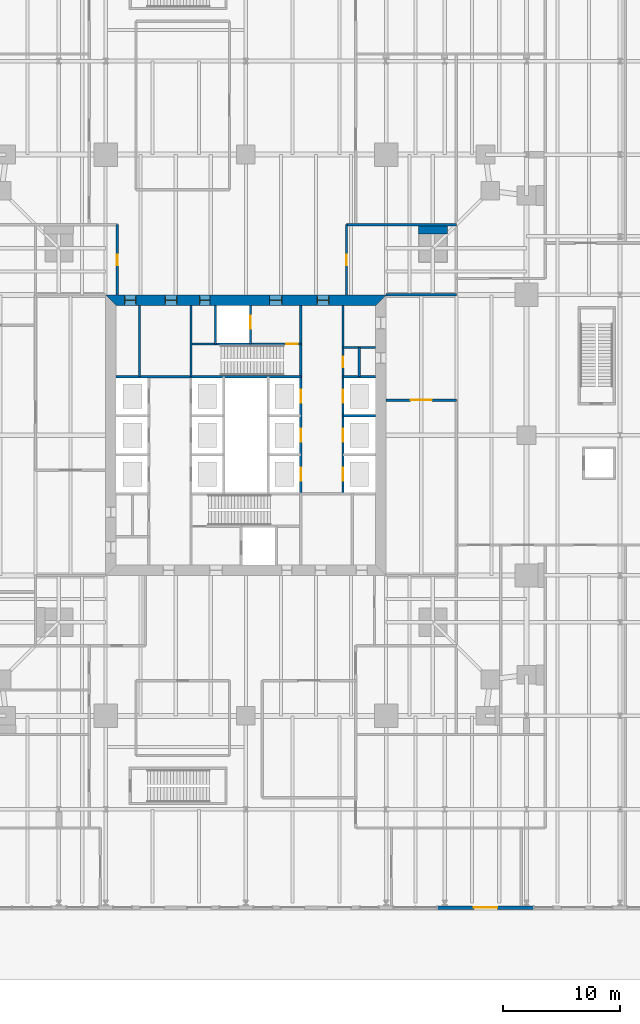
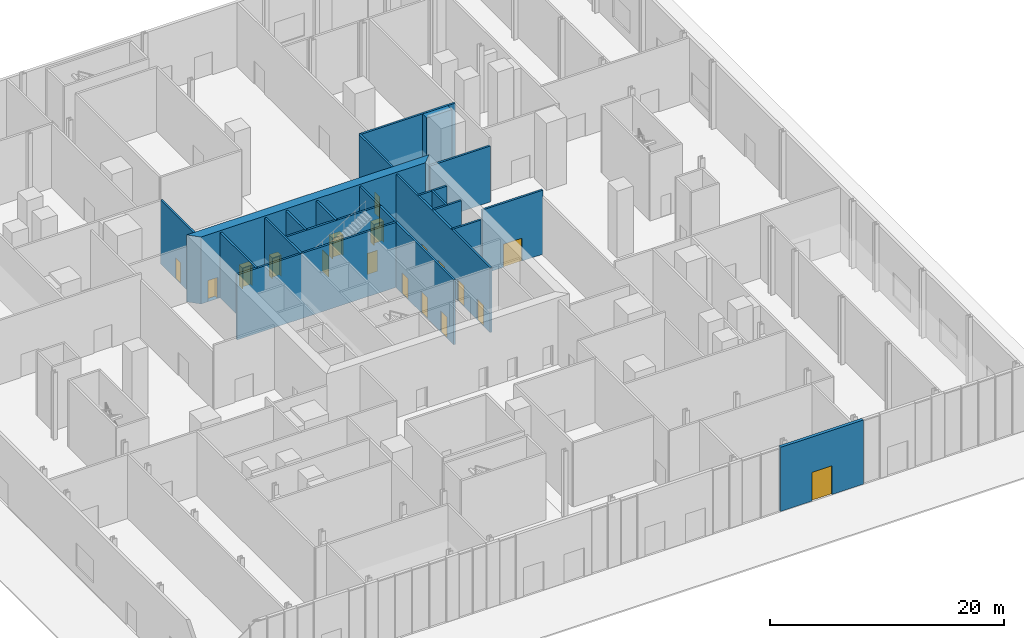
# One storey, part 15 of 20: 20 walls, 18 doors, 18 openings.
"""IFC4 building model written with IfcOpenShell, lengths in metres."""

from ifc_helpers import new_model, si_unit, direction, frame, frame_2d, origin, place, context, subcontext, project, spatial, polyline, rectangle, outline, extrude, material, layer, layer_set, type_object, element, fill, save


model = new_model("IFC4")

# Units and contexts
model_context = context("Model", 3, precision=1e-05, world=origin(), true_north=direction((0.0, 1.0)))
body_context = subcontext(model_context, "Body", "Model", "MODEL_VIEW")
ifc_project = project(units=[si_unit("LENGTHUNIT", "METRE"), si_unit("AREAUNIT", "SQUARE_METRE"), si_unit("VOLUMEUNIT", "CUBIC_METRE"), si_unit("PLANEANGLEUNIT", "RADIAN"), si_unit("MASSUNIT", "GRAM", prefix="KILO")], contexts=[model_context])

# Site, building, storey
site_placement = place(None, origin())
site = spatial("IfcSite", under=ifc_project, at=site_placement, CompositionType="ELEMENT")
building_placement = place(site_placement, origin())
building = spatial("IfcBuilding", under=site, at=building_placement, Name="Fenwick Lantern Interchange", CompositionType="ELEMENT")
storey_placement = place(building_placement, origin())
storey = spatial("IfcBuildingStorey", under=building, at=storey_placement, Name="L00", CompositionType="ELEMENT", Elevation=0.0)

# Wall
ifc_material_1 = material(Name="Fire-rated gypsum board encasement on steel studs, 2 hour", Category="steel")
ifc_layer_1 = layer(ifc_material_1, 2.5)
ifc_layer_set_1 = layer_set([ifc_layer_1], Name="COLUMN PIER 2500")
wall_type_1 = type_object("IfcWallType", Name="COLUMN PIER 2500", PredefinedType="PARTITIONING", material=ifc_layer_set_1)
wall_1_placement = place(storey_placement, frame((41.0, 42.89990234375, 0.0), z_axis=(0.0, 0.0, 1.0), x_axis=(0.0, -1.0, 0.0)))
element("IfcWall", 1, at=wall_1_placement, inside=storey, type_object=wall_type_1, Name="L00/W/PIER/M3", PredefinedType="PARTITIONING", context=body_context, shape_type="SweptSolid", body=[
    extrude(rectangle(XDim=0.699951171875, YDim=2.5, at=frame_2d((0.35009765625, 0.0))), origin(), (0.0, 0.0, 1.0), 6.699951171875),
])

# Wall, openings, doors
ifc_material_2 = material(Name="Concrete masonry ASTM C90 Grade N", Category="masonry")
ifc_layer_2 = layer(ifc_material_2, 0.199951171875)
ifc_layer_set_2 = layer_set([ifc_layer_2], Name="Concrete masonry ASTM C90 Grade N")
wall_type_2 = type_object("IfcWallType", Name="CORE PARTITION 200", PredefinedType="PARTITIONING", material=ifc_layer_set_2)
wall_2_placement = place(storey_placement, frame((33.300048828125, 36.10009765625, 0.0), z_axis=(0.0, 0.0, 1.0), x_axis=(0.0, -1.0, 0.0)))
wall_2 = element("IfcWall", 2, at=wall_2_placement, inside=storey, type_object=wall_type_2, Name="L00/W/COREN/a", PredefinedType="PARTITIONING", context=body_context, shape_type="SweptSolid", body=[
    extrude(rectangle(XDim=16.10009765625, YDim=0.199951171875, at=frame_2d((8.050048828125, 0.0))), origin(), (0.0, 0.0, 1.0), 6.800048828125),
])
opening_1_placement = place(wall_2_placement, frame((4.39990234375, 0.0, 0.0)))
opening_1 = element("IfcOpeningElement", 3, at=opening_1_placement, cuts=wall_2, Name="Opening L00-D033", PredefinedType="OPENING", context=body_context, shape_type="SweptSolid", body=[
    extrude(rectangle(XDim=0.89990234375, YDim=2.199951171875, at=frame_2d((0.449951171875, 1.10009765625))), frame((0.0, 0.10986328125, 0.0), z_axis=(0.0, -1.0, 0.0), x_axis=(1.0, 0.0, 0.0)), (0.0, 0.0, 1.0), 0.219970703125),
])
opening_2_placement = place(wall_2_placement, frame((7.216552734375, 0.0, 0.0)))
opening_2 = element("IfcOpeningElement", 4, at=opening_2_placement, cuts=wall_2, Name="Opening LD-E1-1", PredefinedType="OPENING", context=body_context, shape_type="SweptSolid", body=[
    extrude(rectangle(XDim=1.10009765625, YDim=2.199951171875, at=frame_2d((0.550048828125, 1.10009765625))), frame((0.0, 0.10986328125, 0.0), z_axis=(0.0, -1.0, 0.0), x_axis=(1.0, 0.0, 0.0)), (0.0, 0.0, 1.0), 0.219970703125),
])
opening_3_placement = place(wall_2_placement, frame((10.550048828125, 0.0, 0.0)))
opening_3 = element("IfcOpeningElement", 5, at=opening_3_placement, cuts=wall_2, Name="Opening LD-E1-2", PredefinedType="OPENING", context=body_context, shape_type="SweptSolid", body=[
    extrude(rectangle(XDim=1.10009765625, YDim=2.199951171875, at=frame_2d((0.550048828125, 1.10009765625))), frame((0.0, 0.10986328125, 0.0), z_axis=(0.0, -1.0, 0.0), x_axis=(1.0, 0.0, 0.0)), (0.0, 0.0, 1.0), 0.219970703125),
])
opening_4_placement = place(wall_2_placement, frame((13.88330078125, 0.0, 0.0)))
opening_4 = element("IfcOpeningElement", 6, at=opening_4_placement, cuts=wall_2, Name="Opening LD-E1-3", PredefinedType="OPENING", context=body_context, shape_type="SweptSolid", body=[
    extrude(rectangle(XDim=1.10009765625, YDim=2.199951171875, at=frame_2d((0.550048828125, 1.10009765625))), frame((0.0, 0.10986328125, 0.0), z_axis=(0.0, -1.0, 0.0), x_axis=(1.0, 0.0, 0.0)), (0.0, 0.0, 1.0), 0.219970703125),
])
ifc_material_3 = material(Name="Steel door and frame", Category="steel")
door_type_1 = type_object("IfcDoorType", Name="LIFT LANDING DOOR 1100 X 2200", OperationType="DOUBLE_DOOR_SLIDING", PredefinedType="DOOR", material=ifc_material_3)
door_1_placement = place(opening_2_placement, origin())
door_1 = element("IfcDoor", 7, at=door_1_placement, inside=storey, type_object=door_type_1, Name="Lift landing door E1-1", OperationType="DOUBLE_DOOR_SLIDING", OverallHeight=2.199951171875, OverallWidth=1.10009765625, PredefinedType="DOOR", context=body_context, shape_type="SweptSolid", body=[
    extrude(rectangle(XDim=1.10009765625, YDim=2.199951171875, at=frame_2d((0.550048828125, 1.10009765625))), frame((0.0, 0.02490234375, 0.0), z_axis=(0.0, -1.0, 0.0), x_axis=(1.0, 0.0, 0.0)), (0.0, 0.0, 1.0), 0.050048828125),
])
fill(opening_2, door_1)
door_2_placement = place(opening_3_placement, origin())
door_2 = element("IfcDoor", 8, at=door_2_placement, inside=storey, type_object=door_type_1, Name="Lift landing door E1-2", OperationType="DOUBLE_DOOR_SLIDING", OverallHeight=2.199951171875, OverallWidth=1.10009765625, PredefinedType="DOOR", context=body_context, shape_type="SweptSolid", body=[
    extrude(rectangle(XDim=1.10009765625, YDim=2.199951171875, at=frame_2d((0.550048828125, 1.10009765625))), frame((0.0, 0.02490234375, 0.0), z_axis=(0.0, -1.0, 0.0), x_axis=(1.0, 0.0, 0.0)), (0.0, 0.0, 1.0), 0.050048828125),
])
fill(opening_3, door_2)
door_3_placement = place(opening_4_placement, origin())
door_3 = element("IfcDoor", 9, at=door_3_placement, inside=storey, type_object=door_type_1, Name="Lift landing door E1-3", OperationType="DOUBLE_DOOR_SLIDING", OverallHeight=2.199951171875, OverallWidth=1.10009765625, PredefinedType="DOOR", context=body_context, shape_type="SweptSolid", body=[
    extrude(rectangle(XDim=1.10009765625, YDim=2.199951171875, at=frame_2d((0.550048828125, 1.10009765625))), frame((0.0, 0.02490234375, 0.0), z_axis=(0.0, -1.0, 0.0), x_axis=(1.0, 0.0, 0.0)), (0.0, 0.0, 1.0), 0.050048828125),
])
fill(opening_4, door_3)
door_type_2 = type_object("IfcDoorType", Name="SERVICE DOOR 900 X 2200", OperationType="SINGLE_SWING_LEFT", PredefinedType="DOOR", material=ifc_material_3)
door_4_placement = place(opening_1_placement, origin())
door_4 = element("IfcDoor", 10, at=door_4_placement, inside=storey, type_object=door_type_2, Name="Service door", OperationType="SINGLE_SWING_LEFT", OverallHeight=2.199951171875, OverallWidth=0.89990234375, PredefinedType="DOOR", context=body_context, shape_type="SweptSolid", body=[
    extrude(rectangle(XDim=0.89990234375, YDim=2.199951171875, at=frame_2d((0.449951171875, 1.10009765625))), frame((0.0, 0.02490234375, 0.0), z_axis=(0.0, -1.0, 0.0), x_axis=(1.0, 0.0, 0.0)), (0.0, 0.0, 1.0), 0.050048828125),
])
fill(opening_1, door_4)

# Walls
for number, where, z_axis, x_axis, name in (
    (11, (36.10009765625, 30.0, 0.0), (0.0, 0.0, 1.0), (-1.0, 0.0, 0.0), "L00/W/COREN/c2"),
    (12, (36.10009765625, 26.666748046875, 0.0), (0.0, 0.0, 1.0), (-1.0, 0.0, 0.0), "L00/W/COREN/d1"),
):
    element("IfcWall", number, at=place(storey_placement, frame(where, z_axis=z_axis, x_axis=x_axis)), inside=storey, type_object=wall_type_2, Name=name, PredefinedType="PARTITIONING", context=body_context, shape_type="SweptSolid", body=[
        extrude(rectangle(XDim=2.800048828125, YDim=0.199951171875, at=frame_2d((1.39990234375, 0.0))), origin(), (0.0, 0.0, 1.0), 6.800048828125),
    ])

# Wall, opening, door
wall_3_placement = place(storey_placement, frame((25.39990234375, 36.10009765625, 0.0), z_axis=(0.0, 0.0, 1.0), x_axis=(0.0, -1.0, 0.0)))
wall_3 = element("IfcWall", 13, at=wall_3_placement, inside=storey, type_object=wall_type_2, Name="L00/W/COREN/h1", PredefinedType="PARTITIONING", context=body_context, shape_type="SweptSolid", body=[
    extrude(rectangle(XDim=3.300048828125, YDim=0.199951171875, at=frame_2d((1.64990234375, 0.0))), origin(), (0.0, 0.0, 1.0), 6.800048828125),
])
opening_5_placement = place(wall_3_placement, frame((0.89990234375, 0.0, 0.0)))
opening_5 = element("IfcOpeningElement", 14, at=opening_5_placement, cuts=wall_3, Name="Opening LD-FL2", PredefinedType="OPENING", context=body_context, shape_type="SweptSolid", body=[
    extrude(rectangle(XDim=1.10009765625, YDim=2.199951171875, at=frame_2d((0.550048828125, 1.10009765625))), frame((0.0, 0.10986328125, 0.0), z_axis=(0.0, -1.0, 0.0), x_axis=(1.0, 0.0, 0.0)), (0.0, 0.0, 1.0), 0.219970703125),
])
door_5_placement = place(opening_5_placement, origin())
door_5 = element("IfcDoor", 15, at=door_5_placement, inside=storey, type_object=door_type_1, Name="Lift landing door FL2", OperationType="DOUBLE_DOOR_SLIDING", OverallHeight=2.199951171875, OverallWidth=1.10009765625, PredefinedType="DOOR", context=body_context, shape_type="SweptSolid", body=[
    extrude(rectangle(XDim=1.10009765625, YDim=2.199951171875, at=frame_2d((0.550048828125, 1.10009765625))), frame((0.0, 0.02490234375, 0.0), z_axis=(0.0, -1.0, 0.0), x_axis=(1.0, 0.0, 0.0)), (0.0, 0.0, 1.0), 0.050048828125),
])
fill(opening_5, door_5)

# Walls
wall_4_placement = place(storey_placement, frame((22.39990234375, 36.10009765625, 0.0), z_axis=(0.0, 0.0, 1.0), x_axis=(0.0, -1.0, 0.0)))
element("IfcWall", 16, at=wall_4_placement, inside=storey, type_object=wall_type_2, Name="L00/W/COREN/h2", PredefinedType="PARTITIONING", context=body_context, shape_type="SweptSolid", body=[
    extrude(rectangle(XDim=3.300048828125, YDim=0.199951171875, at=frame_2d((1.64990234375, 0.0))), origin(), (0.0, 0.0, 1.0), 6.800048828125),
])
wall_5_placement = place(storey_placement, frame((15.89990234375, 36.10009765625, 0.0), z_axis=(0.0, 0.0, 1.0), x_axis=(0.0, -1.0, 0.0)))
element("IfcWall", 17, at=wall_5_placement, inside=storey, type_object=wall_type_2, Name="L00/W/COREN/i2", PredefinedType="PARTITIONING", context=body_context, shape_type="SweptSolid", body=[
    extrude(rectangle(XDim=6.10009765625, YDim=0.199951171875, at=frame_2d((3.050048828125, 0.0))), origin(), (0.0, 0.0, 1.0), 6.800048828125),
])
wall_6_placement = place(storey_placement, frame((36.10009765625, 32.5, 0.0), z_axis=(0.0, 0.0, 1.0), x_axis=(-1.0, 0.0, 0.0)))
element("IfcWall", 18, at=wall_6_placement, inside=storey, type_object=wall_type_2, Name="L00/W/COREN/p1", PredefinedType="PARTITIONING", context=body_context, shape_type="SweptSolid", body=[
    extrude(rectangle(XDim=2.800048828125, YDim=0.199951171875, at=frame_2d((1.39990234375, 0.0))), origin(), (0.0, 0.0, 1.0), 6.800048828125),
])
wall_7_placement = place(storey_placement, frame((34.699951171875, 32.5, 0.0), z_axis=(0.0, 0.0, 1.0), x_axis=(0.0, -1.0, 0.0)))
element("IfcWall", 19, at=wall_7_placement, inside=storey, type_object=wall_type_2, Name="L00/W/COREN/px", PredefinedType="PARTITIONING", context=body_context, shape_type="SweptSolid", body=[
    extrude(rectangle(XDim=2.5, YDim=0.199951171875, at=frame_2d((1.25, 0.0))), origin(), (0.0, 0.0, 1.0), 6.800048828125),
])

# Wall, openings, doors
ifc_material_4 = material(Name="Concrete f'c 70 MPa", Category="concrete")
ifc_layer_3 = layer(ifc_material_4, 0.89990234375)
ifc_layer_set_3 = layer_set([ifc_layer_3], Name="CORE WALL 900")
wall_type_3 = type_object("IfcWallType", Name="CORE WALL 900", PredefinedType="SHEAR", material=ifc_layer_set_3)
wall_8_placement = place(storey_placement, frame((37.0, 36.550048828125, 0.0), z_axis=(0.0, 0.0, 1.0), x_axis=(-1.0, 0.0, 0.0)))
wall_8 = element("IfcWall", 20, at=wall_8_placement, inside=storey, type_object=wall_type_3, Name="L00/CORE/N", PredefinedType="SHEAR", context=body_context, shape_type="SweptSolid", body=[
    extrude(outline(polyline([(0.0, -0.449951171875), (24.0, -0.449951171875), (23.10009765625, 0.449951171875), (0.89990234375, 0.449951171875), (0.0, -0.449951171875)])), origin(), (0.0, 0.0, 1.0), 7.0),
])
opening_6_placement = place(wall_8_placement, frame((4.89990234375, 0.0, 0.0)))
opening_6 = element("IfcOpeningElement", 21, at=opening_6_placement, cuts=wall_8, Name="Opening L00-D026", PredefinedType="OPENING", context=body_context, shape_type="SweptSolid", body=[
    extrude(rectangle(XDim=1.0, YDim=2.199951171875, at=frame_2d((0.5, 1.10009765625))), frame((0.0, 0.4599609375, 0.0), z_axis=(0.0, -1.0, 0.0), x_axis=(1.0, 0.0, 0.0)), (0.0, 0.0, 1.0), 0.919921875),
])
opening_7_placement = place(wall_8_placement, frame((8.89990234375, 0.0, 0.0)))
opening_7 = element("IfcOpeningElement", 22, at=opening_7_placement, cuts=wall_8, Name="Opening L00-D027", PredefinedType="OPENING", context=body_context, shape_type="SweptSolid", body=[
    extrude(rectangle(XDim=1.10009765625, YDim=2.199951171875, at=frame_2d((0.550048828125, 1.10009765625))), frame((0.0, 0.4599609375, 0.0), z_axis=(0.0, -1.0, 0.0), x_axis=(1.0, 0.0, 0.0)), (0.0, 0.0, 1.0), 0.919921875),
])
opening_8_placement = place(wall_8_placement, frame((15.050048828125, 0.0, 0.0)))
opening_8 = element("IfcOpeningElement", 23, at=opening_8_placement, cuts=wall_8, Name="Opening L00-D029", PredefinedType="OPENING", context=body_context, shape_type="SweptSolid", body=[
    extrude(rectangle(XDim=0.89990234375, YDim=2.199951171875, at=frame_2d((0.449951171875, 1.10009765625))), frame((0.0, 0.4599609375, 0.0), z_axis=(0.0, -1.0, 0.0), x_axis=(1.0, 0.0, 0.0)), (0.0, 0.0, 1.0), 0.919921875),
])
opening_9_placement = place(wall_8_placement, frame((17.89990234375, 0.0, 0.0)))
opening_9 = element("IfcOpeningElement", 24, at=opening_9_placement, cuts=wall_8, Name="Opening L00-D030", PredefinedType="OPENING", context=body_context, shape_type="SweptSolid", body=[
    extrude(rectangle(XDim=1.0, YDim=2.199951171875, at=frame_2d((0.5, 1.10009765625))), frame((0.0, 0.4599609375, 0.0), z_axis=(0.0, -1.0, 0.0), x_axis=(1.0, 0.0, 0.0)), (0.0, 0.0, 1.0), 0.919921875),
])
opening_10_placement = place(wall_8_placement, frame((21.39990234375, 0.0, 0.0)))
opening_10 = element("IfcOpeningElement", 25, at=opening_10_placement, cuts=wall_8, Name="Opening L00-D031", PredefinedType="OPENING", context=body_context, shape_type="SweptSolid", body=[
    extrude(rectangle(XDim=1.0, YDim=2.199951171875, at=frame_2d((0.5, 1.10009765625))), frame((0.0, 0.4599609375, 0.0), z_axis=(0.0, -1.0, 0.0), x_axis=(1.0, 0.0, 0.0)), (0.0, 0.0, 1.0), 0.919921875),
])
door_type_3 = type_object("IfcDoorType", Name="CORE LOBBY DOOR 1000 X 2200", OperationType="SINGLE_SWING_LEFT", PredefinedType="DOOR", material=ifc_material_3)
door_6_placement = place(opening_6_placement, frame((1.0, 0.0, 0.0), z_axis=(0.0, 0.0, 1.0), x_axis=(-1.0, 0.0, 0.0)))
door_6 = element("IfcDoor", 26, at=door_6_placement, inside=storey, type_object=door_type_3, Name="Core lobby door", OperationType="SINGLE_SWING_RIGHT", OverallHeight=2.199951171875, OverallWidth=1.0, PredefinedType="DOOR", context=body_context, shape_type="SweptSolid", body=[
    extrude(rectangle(XDim=1.0, YDim=2.199951171875, at=frame_2d((0.5, 1.10009765625))), frame((0.0, 0.02490234375, 0.0), z_axis=(0.0, -1.0, 0.0), x_axis=(1.0, 0.0, 0.0)), (0.0, 0.0, 1.0), 0.050048828125),
    extrude(outline(polyline([(0.0, 0.0), (0.0400390625, 0.0), (0.0400390625, 2.159912109375), (0.9599609375, 2.159912109375), (0.9599609375, 0.0), (1.0, 0.0), (1.0, 2.199951171875), (0.0, 2.199951171875), (0.0, 0.0)])), frame((0.0, 0.300048828125, 0.0), z_axis=(0.0, -1.0, 0.0), x_axis=(1.0, 0.0, 0.0)), (0.0, 0.0, 1.0), 0.60009765625),
])
fill(opening_6, door_6)
door_type_4 = type_object("IfcDoorType", Name="FIRE LOBBY DOOR 1100 X 2200", OperationType="SINGLE_SWING_LEFT", PredefinedType="DOOR", material=ifc_material_3)
door_7_placement = place(opening_7_placement, frame((1.10009765625, 0.0, 0.0), z_axis=(0.0, 0.0, 1.0), x_axis=(-1.0, 0.0, 0.0)))
door_7 = element("IfcDoor", 27, at=door_7_placement, inside=storey, type_object=door_type_4, Name="Fire lobby door", OperationType="SINGLE_SWING_RIGHT", OverallHeight=2.199951171875, OverallWidth=1.10009765625, PredefinedType="DOOR", context=body_context, shape_type="SweptSolid", body=[
    extrude(rectangle(XDim=1.10009765625, YDim=2.199951171875, at=frame_2d((0.550048828125, 1.10009765625))), frame((0.0, 0.02490234375, 0.0), z_axis=(0.0, -1.0, 0.0), x_axis=(1.0, 0.0, 0.0)), (0.0, 0.0, 1.0), 0.050048828125),
    extrude(outline(polyline([(0.0, 0.0), (0.0400390625, 0.0), (0.0400390625, 2.159912109375), (1.06005859375, 2.159912109375), (1.06005859375, 0.0), (1.10009765625, 0.0), (1.10009765625, 2.199951171875), (0.0, 2.199951171875), (0.0, 0.0)])), frame((0.0, 0.300048828125, 0.0), z_axis=(0.0, -1.0, 0.0), x_axis=(1.0, 0.0, 0.0)), (0.0, 0.0, 1.0), 0.60009765625),
])
fill(opening_7, door_7)
door_8_placement = place(opening_8_placement, origin())
door_8 = element("IfcDoor", 28, at=door_8_placement, inside=storey, type_object=door_type_2, Name="Service door", OperationType="SINGLE_SWING_LEFT", OverallHeight=2.199951171875, OverallWidth=0.89990234375, PredefinedType="DOOR", context=body_context, shape_type="SweptSolid", body=[
    extrude(rectangle(XDim=0.89990234375, YDim=2.199951171875, at=frame_2d((0.449951171875, 1.10009765625))), frame((0.0, 0.02490234375, 0.0), z_axis=(0.0, -1.0, 0.0), x_axis=(1.0, 0.0, 0.0)), (0.0, 0.0, 1.0), 0.050048828125),
    extrude(outline(polyline([(0.0, 0.0), (0.0400390625, 0.0), (0.0400390625, 2.159912109375), (0.85986328125, 2.159912109375), (0.85986328125, 0.0), (0.89990234375, 0.0), (0.89990234375, 2.199951171875), (0.0, 2.199951171875), (0.0, 0.0)])), frame((0.0, 0.300048828125, 0.0), z_axis=(0.0, -1.0, 0.0), x_axis=(1.0, 0.0, 0.0)), (0.0, 0.0, 1.0), 0.60009765625),
])
fill(opening_8, door_8)
ifc_material_5 = material(Name="Hardwood door and steel frame", Category="steel")
door_type_5 = type_object("IfcDoorType", Name="WC DOOR 1000 X 2200", OperationType="SINGLE_SWING_LEFT", PredefinedType="DOOR", material=ifc_material_5)
door_9_placement = place(opening_9_placement, origin())
door_9 = element("IfcDoor", 29, at=door_9_placement, inside=storey, type_object=door_type_5, Name="Wc door", OperationType="SINGLE_SWING_LEFT", OverallHeight=2.199951171875, OverallWidth=1.0, PredefinedType="DOOR", context=body_context, shape_type="SweptSolid", body=[
    extrude(rectangle(XDim=1.0, YDim=2.199951171875, at=frame_2d((0.5, 1.10009765625))), frame((0.0, 0.02490234375, 0.0), z_axis=(0.0, -1.0, 0.0), x_axis=(1.0, 0.0, 0.0)), (0.0, 0.0, 1.0), 0.050048828125),
    extrude(outline(polyline([(0.0, 0.0), (0.0400390625, 0.0), (0.0400390625, 2.159912109375), (0.9599609375, 2.159912109375), (0.9599609375, 0.0), (1.0, 0.0), (1.0, 2.199951171875), (0.0, 2.199951171875), (0.0, 0.0)])), frame((0.0, 0.300048828125, 0.0), z_axis=(0.0, -1.0, 0.0), x_axis=(1.0, 0.0, 0.0)), (0.0, 0.0, 1.0), 0.60009765625),
])
fill(opening_9, door_9)
door_10_placement = place(opening_10_placement, origin())
door_10 = element("IfcDoor", 30, at=door_10_placement, inside=storey, type_object=door_type_5, Name="Wc door", OperationType="SINGLE_SWING_LEFT", OverallHeight=2.199951171875, OverallWidth=1.0, PredefinedType="DOOR", context=body_context, shape_type="SweptSolid", body=[
    extrude(rectangle(XDim=1.0, YDim=2.199951171875, at=frame_2d((0.5, 1.10009765625))), frame((0.0, 0.02490234375, 0.0), z_axis=(0.0, -1.0, 0.0), x_axis=(1.0, 0.0, 0.0)), (0.0, 0.0, 1.0), 0.050048828125),
    extrude(outline(polyline([(0.0, 0.0), (0.0400390625, 0.0), (0.0400390625, 2.159912109375), (0.9599609375, 2.159912109375), (0.9599609375, 0.0), (1.0, 0.0), (1.0, 2.199951171875), (0.0, 2.199951171875), (0.0, 0.0)])), frame((0.0, 0.300048828125, 0.0), z_axis=(0.0, -1.0, 0.0), x_axis=(1.0, 0.0, 0.0)), (0.0, 0.0, 1.0), 0.60009765625),
])
fill(opening_10, door_10)

# Wall, opening, door
ifc_material_6 = material(Name="Limestone ASTM C568 Classification II", Category="masonry")
ifc_layer_4 = layer(ifc_material_6, 0.074951171875)
ifc_material_7 = material(Name="Mineral wool insulation")
ifc_layer_5 = layer(ifc_material_7, 0.125)
ifc_material_8 = material(Name="Cold-formed galvanised steel studs", Category="steel")
ifc_layer_6 = layer(ifc_material_8, 0.10009765625)
ifc_layer_set_4 = layer_set([ifc_layer_4, ifc_layer_5, ifc_layer_6], Name="Limestone ASTM C568 Classification II")
wall_type_4 = type_object("IfcWallType", Name="LIMESTONE RAINSCREEN WALL 300", PredefinedType="SOLIDWALL", material=ifc_layer_set_4)
wall_9_placement = place(storey_placement, frame((41.39990234375, -15.39990234375, 0.0), z_axis=(0.0, 0.0, 1.0), x_axis=(1.0, 0.0, 0.0)))
wall_9 = element("IfcWall", 31, at=wall_9_placement, inside=storey, type_object=wall_type_4, Name="L00/EW/S11", PredefinedType="SOLIDWALL", context=body_context, shape_type="SweptSolid", body=[
    extrude(rectangle(XDim=8.2001953125, YDim=0.300048828125, at=frame_2d((4.10009765625, 0.0))), origin(), (0.0, 0.0, 1.0), 6.699951171875),
])
opening_11_placement = place(wall_9_placement, frame((3.10009765625, 0.0, 0.0)))
opening_11 = element("IfcOpeningElement", 32, at=opening_11_placement, cuts=wall_9, Name="Opening L00-D006", PredefinedType="OPENING", context=body_context, shape_type="SweptSolid", body=[
    extrude(rectangle(XDim=2.0, YDim=3.0, at=frame_2d((1.0, 1.5))), frame((0.0, 0.159912109375, 0.0), z_axis=(0.0, -1.0, 0.0), x_axis=(1.0, 0.0, 0.0)), (0.0, 0.0, 1.0), 0.320068359375),
])
ifc_material_9 = material(Name="Aluminium glazed door", Category="aluminium")
door_type_6 = type_object("IfcDoorType", Name="CONCOURSE ENTRANCE DOOR PAIR 2000 X 3000", OperationType="DOUBLE_DOOR_SINGLE_SWING", PredefinedType="DOOR", material=ifc_material_9)
door_11_placement = place(opening_11_placement, frame((2.0, 0.0, 0.0), z_axis=(0.0, 0.0, 1.0), x_axis=(-1.0, 0.0, 0.0)))
door_11 = element("IfcDoor", 33, at=door_11_placement, inside=storey, type_object=door_type_6, Name="Concourse entrance door pair", OperationType="DOUBLE_DOOR_SINGLE_SWING", OverallHeight=3.0, OverallWidth=2.0, PredefinedType="DOOR", context=body_context, shape_type="SweptSolid", body=[
    extrude(rectangle(XDim=2.0, YDim=3.0, at=frame_2d((1.0, 1.5))), frame((0.0, 0.02490234375, 0.0), z_axis=(0.0, -1.0, 0.0), x_axis=(1.0, 0.0, 0.0)), (0.0, 0.0, 1.0), 0.050048828125),
])
fill(opening_11, door_11)

ifc_material_10 = material(Name="Gypsum board on steel studs, 1 hour", Category="steel")
ifc_layer_7 = layer(ifc_material_10, 0.199951171875)
ifc_layer_set_5 = layer_set([ifc_layer_7], Name="ROOM WALL 200")
wall_type_5 = type_object("IfcWallType", Name="ROOM WALL 200", PredefinedType="PARTITIONING", material=ifc_layer_set_5)
wall_10_placement = place(storey_placement, frame((14.0, 37.0, 0.0), z_axis=(0.0, 0.0, 1.0), x_axis=(0.0, 1.0, 0.0)))
wall_10 = element("IfcWall", 34, at=wall_10_placement, inside=storey, type_object=wall_type_5, Name="L00/W/POD/X14-1", PredefinedType="PARTITIONING", context=body_context, shape_type="SweptSolid", body=[
    extrude(rectangle(XDim=6.0, YDim=0.199951171875, at=frame_2d((3.0, 0.0))), origin(), (0.0, 0.0, 1.0), 6.699951171875),
])
opening_12_placement = place(wall_10_placement, frame((2.550048828125, 0.0, 0.0)))
opening_12 = element("IfcOpeningElement", 35, at=opening_12_placement, cuts=wall_10, Name="Opening L00-D070", PredefinedType="OPENING", context=body_context, shape_type="SweptSolid", body=[
    extrude(rectangle(XDim=0.89990234375, YDim=2.199951171875, at=frame_2d((0.449951171875, 1.10009765625))), frame((0.0, 0.10986328125, 0.0), z_axis=(0.0, -1.0, 0.0), x_axis=(1.0, 0.0, 0.0)), (0.0, 0.0, 1.0), 0.219970703125),
])
door_type_7 = type_object("IfcDoorType", Name="OFFICE DOOR 900 X 2200", OperationType="SINGLE_SWING_LEFT", PredefinedType="DOOR", material=ifc_material_5)
door_12_placement = place(opening_12_placement, origin())
door_12 = element("IfcDoor", 36, at=door_12_placement, inside=storey, type_object=door_type_7, Name="Office door", OperationType="SINGLE_SWING_RIGHT", OverallHeight=2.199951171875, OverallWidth=0.89990234375, PredefinedType="DOOR", context=body_context, shape_type="SweptSolid", body=[
    extrude(rectangle(XDim=0.89990234375, YDim=2.199951171875, at=frame_2d((0.449951171875, 1.10009765625))), frame((0.0, 0.02490234375, 0.0), z_axis=(0.0, -1.0, 0.0), x_axis=(1.0, 0.0, 0.0)), (0.0, 0.0, 1.0), 0.050048828125),
])
fill(opening_12, door_12)

wall_11_placement = place(storey_placement, frame((33.60009765625, 37.0, 0.0), z_axis=(0.0, 0.0, 1.0), x_axis=(0.0, 1.0, 0.0)))
wall_11 = element("IfcWall", 37, at=wall_11_placement, inside=storey, type_object=wall_type_5, Name="L00/W/POD/X33.6-1", PredefinedType="PARTITIONING", context=body_context, shape_type="SweptSolid", body=[
    extrude(rectangle(XDim=6.0, YDim=0.199951171875, at=frame_2d((3.0, 0.0))), origin(), (0.0, 0.0, 1.0), 6.699951171875),
])
opening_13_placement = place(wall_11_placement, frame((2.550048828125, 0.0, 0.0)))
opening_13 = element("IfcOpeningElement", 38, at=opening_13_placement, cuts=wall_11, Name="Opening L00-D068", PredefinedType="OPENING", context=body_context, shape_type="SweptSolid", body=[
    extrude(rectangle(XDim=0.89990234375, YDim=2.199951171875, at=frame_2d((0.449951171875, 1.10009765625))), frame((0.0, 0.10986328125, 0.0), z_axis=(0.0, -1.0, 0.0), x_axis=(1.0, 0.0, 0.0)), (0.0, 0.0, 1.0), 0.219970703125),
])
door_13_placement = place(opening_13_placement, frame((0.89990234375, 0.0, 0.0), z_axis=(0.0, 0.0, 1.0), x_axis=(-1.0, 0.0, 0.0)))
door_13 = element("IfcDoor", 39, at=door_13_placement, inside=storey, type_object=door_type_7, Name="Office door", OperationType="SINGLE_SWING_LEFT", OverallHeight=2.199951171875, OverallWidth=0.89990234375, PredefinedType="DOOR", context=body_context, shape_type="SweptSolid", body=[
    extrude(rectangle(XDim=0.89990234375, YDim=2.199951171875, at=frame_2d((0.449951171875, 1.10009765625))), frame((0.0, 0.02490234375, 0.0), z_axis=(0.0, -1.0, 0.0), x_axis=(1.0, 0.0, 0.0)), (0.0, 0.0, 1.0), 0.050048828125),
])
fill(opening_13, door_13)

wall_12_placement = place(storey_placement, frame((37.0, 28.0, 0.0), z_axis=(0.0, 0.0, 1.0), x_axis=(1.0, 0.0, 0.0)))
wall_12 = element("IfcWall", 40, at=wall_12_placement, inside=storey, type_object=wall_type_5, Name="L00/W/POD/Y28-1", PredefinedType="PARTITIONING", context=body_context, shape_type="SweptSolid", body=[
    extrude(rectangle(XDim=6.0, YDim=0.199951171875, at=frame_2d((3.0, 0.0))), origin(), (0.0, 0.0, 1.0), 6.699951171875),
])
opening_14_placement = place(wall_12_placement, frame((2.099853515625, 0.0, 0.0)))
opening_14 = element("IfcOpeningElement", 41, at=opening_14_placement, cuts=wall_12, Name="Opening L00-D066", PredefinedType="OPENING", context=body_context, shape_type="SweptSolid", body=[
    extrude(rectangle(XDim=1.800048828125, YDim=2.39990234375, at=frame_2d((0.89990234375, 1.199951171875))), frame((0.0, 0.10986328125, 0.0), z_axis=(0.0, -1.0, 0.0), x_axis=(1.0, 0.0, 0.0)), (0.0, 0.0, 1.0), 0.219970703125),
])
door_type_8 = type_object("IfcDoorType", Name="ROOM DOOR PAIR 1800 X 2400", OperationType="DOUBLE_DOOR_SINGLE_SWING", PredefinedType="DOOR", material=ifc_material_3)
door_14_placement = place(opening_14_placement, origin())
door_14 = element("IfcDoor", 42, at=door_14_placement, inside=storey, type_object=door_type_8, Name="Room door pair", OperationType="DOUBLE_DOOR_SINGLE_SWING", OverallHeight=2.39990234375, OverallWidth=1.800048828125, PredefinedType="DOOR", context=body_context, shape_type="SweptSolid", body=[
    extrude(rectangle(XDim=1.800048828125, YDim=2.39990234375, at=frame_2d((0.89990234375, 1.199951171875))), frame((0.0, 0.02490234375, 0.0), z_axis=(0.0, -1.0, 0.0), x_axis=(1.0, 0.0, 0.0)), (0.0, 0.0, 1.0), 0.050048828125),
])
fill(opening_14, door_14)

# Walls
wall_13_placement = place(storey_placement, frame((37.0, 37.0, 0.0), z_axis=(0.0, 0.0, 1.0), x_axis=(1.0, 0.0, 0.0)))
element("IfcWall", 43, at=wall_13_placement, inside=storey, type_object=wall_type_5, Name="L00/W/POD/Y37-2", PredefinedType="PARTITIONING", context=body_context, shape_type="SweptSolid", body=[
    extrude(rectangle(XDim=6.0, YDim=0.199951171875, at=frame_2d((3.0, 0.0))), origin(), (0.0, 0.0, 1.0), 5.8525390625),
])
wall_14_placement = place(storey_placement, frame((33.60009765625, 43.0, 0.0), z_axis=(0.0, 0.0, 1.0), x_axis=(1.0, 0.0, 0.0)))
element("IfcWall", 44, at=wall_14_placement, inside=storey, type_object=wall_type_5, Name="L00/W/POD/Y43-2", PredefinedType="PARTITIONING", context=body_context, shape_type="SweptSolid", body=[
    extrude(rectangle(XDim=9.39990234375, YDim=0.199951171875, at=frame_2d((4.699951171875, 0.0))), origin(), (0.0, 0.0, 1.0), 6.699951171875),
])

# Wall, openings, doors
ifc_material_11 = material(Name="Concrete f'c 45 MPa", Category="concrete")
ifc_layer_8 = layer(ifc_material_11, 0.199951171875)
ifc_layer_set_6 = layer_set([ifc_layer_8], Name="STAIR CORE WALL 200")
wall_type_6 = type_object("IfcWallType", Name="STAIR CORE WALL 200", PredefinedType="SOLIDWALL", material=ifc_layer_set_6)
wall_15_placement = place(storey_placement, frame((29.699951171875, 36.10009765625, 0.0), z_axis=(0.0, 0.0, 1.0), x_axis=(0.0, -1.0, 0.0)))
wall_15 = element("IfcWall", 45, at=wall_15_placement, inside=storey, type_object=wall_type_6, Name="L00/W/COREN/b", PredefinedType="SOLIDWALL", context=body_context, shape_type="SweptSolid", body=[
    extrude(rectangle(XDim=16.10009765625, YDim=0.199951171875, at=frame_2d((8.050048828125, 0.0))), origin(), (0.0, 0.0, 1.0), 6.800048828125),
])
opening_15_placement = place(wall_15_placement, frame((7.216552734375, 0.0, 0.0)))
opening_15 = element("IfcOpeningElement", 46, at=opening_15_placement, cuts=wall_15, Name="Opening LD-E2-1", PredefinedType="OPENING", context=body_context, shape_type="SweptSolid", body=[
    extrude(rectangle(XDim=1.10009765625, YDim=2.199951171875, at=frame_2d((0.550048828125, 1.10009765625))), frame((0.0, 0.10986328125, 0.0), z_axis=(0.0, -1.0, 0.0), x_axis=(1.0, 0.0, 0.0)), (0.0, 0.0, 1.0), 0.219970703125),
])
opening_16_placement = place(wall_15_placement, frame((10.550048828125, 0.0, 0.0)))
opening_16 = element("IfcOpeningElement", 47, at=opening_16_placement, cuts=wall_15, Name="Opening LD-E2-2", PredefinedType="OPENING", context=body_context, shape_type="SweptSolid", body=[
    extrude(rectangle(XDim=1.10009765625, YDim=2.199951171875, at=frame_2d((0.550048828125, 1.10009765625))), frame((0.0, 0.10986328125, 0.0), z_axis=(0.0, -1.0, 0.0), x_axis=(1.0, 0.0, 0.0)), (0.0, 0.0, 1.0), 0.219970703125),
])
opening_17_placement = place(wall_15_placement, frame((13.88330078125, 0.0, 0.0)))
opening_17 = element("IfcOpeningElement", 48, at=opening_17_placement, cuts=wall_15, Name="Opening LD-E2-3", PredefinedType="OPENING", context=body_context, shape_type="SweptSolid", body=[
    extrude(rectangle(XDim=1.10009765625, YDim=2.199951171875, at=frame_2d((0.550048828125, 1.10009765625))), frame((0.0, 0.10986328125, 0.0), z_axis=(0.0, -1.0, 0.0), x_axis=(1.0, 0.0, 0.0)), (0.0, 0.0, 1.0), 0.219970703125),
])
door_15_placement = place(opening_15_placement, origin())
door_15 = element("IfcDoor", 49, at=door_15_placement, inside=storey, type_object=door_type_1, Name="Lift landing door E2-1", OperationType="DOUBLE_DOOR_SLIDING", OverallHeight=2.199951171875, OverallWidth=1.10009765625, PredefinedType="DOOR", context=body_context, shape_type="SweptSolid", body=[
    extrude(rectangle(XDim=1.10009765625, YDim=2.199951171875, at=frame_2d((0.550048828125, 1.10009765625))), frame((0.0, 0.02490234375, 0.0), z_axis=(0.0, -1.0, 0.0), x_axis=(1.0, 0.0, 0.0)), (0.0, 0.0, 1.0), 0.050048828125),
])
fill(opening_15, door_15)
door_16_placement = place(opening_16_placement, origin())
door_16 = element("IfcDoor", 50, at=door_16_placement, inside=storey, type_object=door_type_1, Name="Lift landing door E2-2", OperationType="DOUBLE_DOOR_SLIDING", OverallHeight=2.199951171875, OverallWidth=1.10009765625, PredefinedType="DOOR", context=body_context, shape_type="SweptSolid", body=[
    extrude(rectangle(XDim=1.10009765625, YDim=2.199951171875, at=frame_2d((0.550048828125, 1.10009765625))), frame((0.0, 0.02490234375, 0.0), z_axis=(0.0, -1.0, 0.0), x_axis=(1.0, 0.0, 0.0)), (0.0, 0.0, 1.0), 0.050048828125),
])
fill(opening_16, door_16)
door_17_placement = place(opening_17_placement, origin())
door_17 = element("IfcDoor", 51, at=door_17_placement, inside=storey, type_object=door_type_1, Name="Lift landing door E2-3", OperationType="DOUBLE_DOOR_SLIDING", OverallHeight=2.199951171875, OverallWidth=1.10009765625, PredefinedType="DOOR", context=body_context, shape_type="SweptSolid", body=[
    extrude(rectangle(XDim=1.10009765625, YDim=2.199951171875, at=frame_2d((0.550048828125, 1.10009765625))), frame((0.0, 0.02490234375, 0.0), z_axis=(0.0, -1.0, 0.0), x_axis=(1.0, 0.0, 0.0)), (0.0, 0.0, 1.0), 0.050048828125),
])
fill(opening_17, door_17)

# Wall, opening, door
wall_16_placement = place(storey_placement, frame((29.699951171875, 32.800048828125, 0.0), z_axis=(0.0, 0.0, 1.0), x_axis=(-1.0, 0.0, 0.0)))
wall_16 = element("IfcWall", 52, at=wall_16_placement, inside=storey, type_object=wall_type_6, Name="L00/W/COREN/g1", PredefinedType="SOLIDWALL", context=body_context, shape_type="SweptSolid", body=[
    extrude(rectangle(XDim=9.39990234375, YDim=0.199951171875, at=frame_2d((4.699951171875, 0.0))), origin(), (0.0, 0.0, 1.0), 6.800048828125),
])
opening_18_placement = place(wall_16_placement, frame((0.25, 0.0, 0.0)))
opening_18 = element("IfcOpeningElement", 53, at=opening_18_placement, cuts=wall_16, Name="Opening L00-D028", PredefinedType="OPENING", context=body_context, shape_type="SweptSolid", body=[
    extrude(rectangle(XDim=1.0, YDim=2.199951171875, at=frame_2d((0.5, 1.10009765625))), frame((0.0, 0.10986328125, 0.0), z_axis=(0.0, -1.0, 0.0), x_axis=(1.0, 0.0, 0.0)), (0.0, 0.0, 1.0), 0.219970703125),
])
door_type_9 = type_object("IfcDoorType", Name="STAIR DOOR 1000 X 2200", OperationType="SINGLE_SWING_LEFT", PredefinedType="DOOR", material=ifc_material_3)
door_18_placement = place(opening_18_placement, frame((1.0, 0.0, 0.0), z_axis=(0.0, 0.0, 1.0), x_axis=(-1.0, 0.0, 0.0)))
door_18 = element("IfcDoor", 54, at=door_18_placement, inside=storey, type_object=door_type_9, Name="Stair door", OperationType="SINGLE_SWING_RIGHT", OverallHeight=2.199951171875, OverallWidth=1.0, PredefinedType="DOOR", context=body_context, shape_type="SweptSolid", body=[
    extrude(rectangle(XDim=1.0, YDim=2.199951171875, at=frame_2d((0.5, 1.10009765625))), frame((0.0, 0.02490234375, 0.0), z_axis=(0.0, -1.0, 0.0), x_axis=(1.0, 0.0, 0.0)), (0.0, 0.0, 1.0), 0.050048828125),
])
fill(opening_18, door_18)

# Walls
wall_17_placement = place(storey_placement, frame((29.699951171875, 30.0, 0.0), z_axis=(0.0, 0.0, 1.0), x_axis=(-1.0, 0.0, 0.0)))
element("IfcWall", 55, at=wall_17_placement, inside=storey, type_object=wall_type_6, Name="L00/W/COREN/g2", PredefinedType="SOLIDWALL", context=body_context, shape_type="SweptSolid", body=[
    extrude(rectangle(XDim=15.800048828125, YDim=0.199951171875, at=frame_2d((7.89990234375, 0.0))), origin(), (0.0, 0.0, 1.0), 6.800048828125),
])
wall_18_placement = place(storey_placement, frame((20.300048828125, 36.10009765625, 0.0), z_axis=(0.0, 0.0, 1.0), x_axis=(0.0, -1.0, 0.0)))
element("IfcWall", 56, at=wall_18_placement, inside=storey, type_object=wall_type_6, Name="L00/W/COREN/i1", PredefinedType="SOLIDWALL", context=body_context, shape_type="SweptSolid", body=[
    extrude(rectangle(XDim=6.10009765625, YDim=0.199951171875, at=frame_2d((3.050048828125, 0.0))), origin(), (0.0, 0.0, 1.0), 6.800048828125),
])

save(model, "model.ifc")
